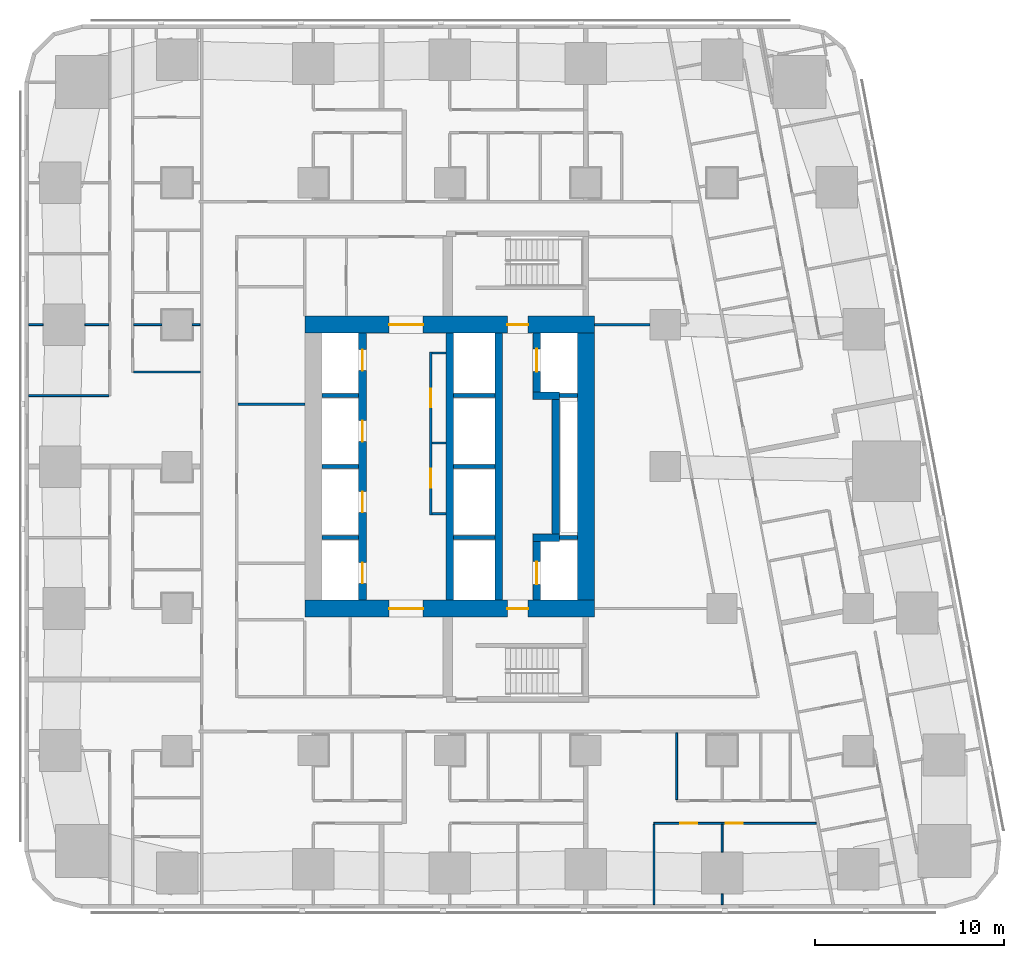
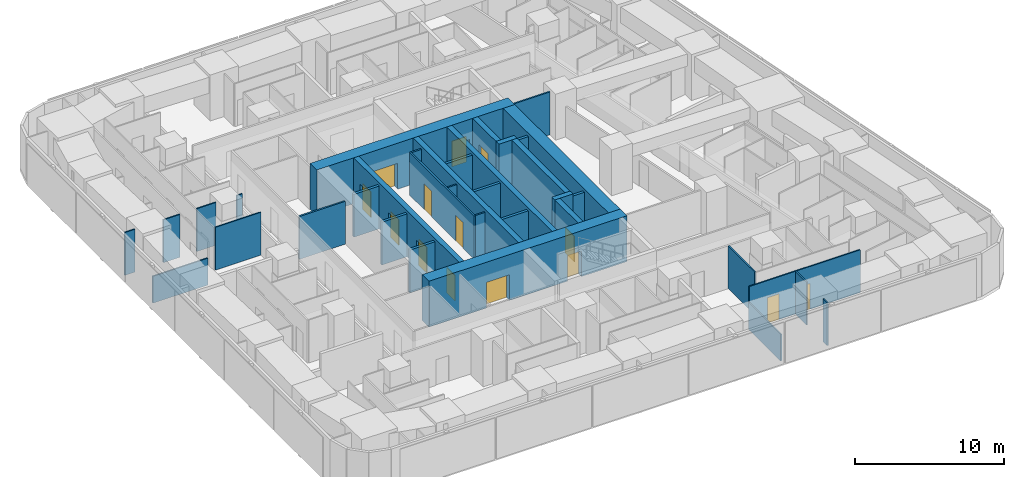
# One storey, part 6 of 17: 36 walls, 14 doors, 14 openings.
"""IFC4 building model written with IfcOpenShell, lengths in metres."""

import ifcopenshell
import ifcopenshell.guid

model = None  # the IFC model being written
_history = None  # IfcOwnerHistory: only IFC2X3 demands one
_inside = {}  # id of a spatial element -> (the spatial element, [elements in it])
_under = {}  # id of a project, library or spatial element -> (it, [spatial elements below it])
_declared = {}  # id of a project -> (the project, [libraries it declares])
_typed = {}  # id of a type object -> (the type object, [elements of that type])
_made_of = {}  # id of a material, layer set ... -> (it, [elements and type objects made of it])


def new_model(schema):
    """Start an empty IFC model of exactly this schema.

    Asked for "IFC4X3", IfcOpenShell would pick the latest addendum, in which some entities
    have other attributes; the version numbers below select the first issue.
    IFC2X3 requires an IfcOwnerHistory on every rooted entity: one is made here for all.
    """
    global model, _history
    if schema == "IFC4X3":
        model = ifcopenshell.file(schema_version=(4, 3, 0, 0))
    else:
        model = ifcopenshell.file(schema=schema)
    _inside.clear()
    _under.clear()
    _declared.clear()
    _typed.clear()
    _made_of.clear()
    _history = None
    if model.schema == "IFC2X3":
        org = make("IfcOrganization", Name="unknown")
        user = make(
            "IfcPersonAndOrganization",
            ThePerson=make("IfcPerson", FamilyName="unknown"),
            TheOrganization=org,
        )
        app = make(
            "IfcApplication",
            ApplicationDeveloper=org,
            Version="unknown",
            ApplicationFullName="unknown",
            ApplicationIdentifier="unknown",
        )
        _history = make(
            "IfcOwnerHistory",
            OwningUser=user,
            OwningApplication=app,
            ChangeAction="ADDED",
            CreationDate=0,
        )
    return model


def make(cls, **values):
    """One entity of the class cls with the attributes given. An attribute that is None is left unset."""
    return model.create_entity(
        cls, **{name: value for name, value in values.items() if value is not None}
    )


def rooted(cls, **values):
    """An entity with a GlobalId (a new one), such as an element, a storey or a relation."""
    return make(cls, GlobalId=ifcopenshell.guid.new(), OwnerHistory=_history, **values)


def si_unit(unit_type, name, prefix=None):
    """IfcSIUnit, for example si_unit("LENGTHUNIT", "METRE", prefix="MILLI")."""
    return make("IfcSIUnit", UnitType=unit_type, Prefix=prefix, Name=name)


def assignment(units):
    """IfcUnitAssignment: the units of a project."""
    return None if units is None else make("IfcUnitAssignment", Units=units)


def point(xyz):
    """IfcCartesianPoint."""
    return None if xyz is None else make("IfcCartesianPoint", Coordinates=xyz)


def direction(xyz):
    """IfcDirection."""
    return None if xyz is None else make("IfcDirection", DirectionRatios=xyz)


def frame(location, z_axis=None, x_axis=None):
    """IfcAxis2Placement3D, a coordinate frame: its origin and axes. An axis left out is left unset."""
    return make(
        "IfcAxis2Placement3D",
        Location=point(location),
        Axis=direction(z_axis),
        RefDirection=direction(x_axis),
    )


def frame_2d(location, x_axis=None):
    """IfcAxis2Placement2D, a coordinate frame in the plane: its origin and x axis."""
    return make(
        "IfcAxis2Placement2D", Location=point(location), RefDirection=direction(x_axis)
    )


def origin():
    """The frame at (0, 0, 0) with its axes left unset."""
    return frame((0.0, 0.0, 0.0))


def place(relative_to, where):
    """IfcLocalPlacement: puts the frame where relative to a parent placement (None: the world)."""
    return make(
        "IfcLocalPlacement", PlacementRelTo=relative_to, RelativePlacement=where
    )


def context(
    kind, dimensions, precision=None, world=None, true_north=None, identifier=None
):
    """IfcGeometricRepresentationContext, for example the 3D "Model" context."""
    return make(
        "IfcGeometricRepresentationContext",
        ContextIdentifier=identifier,
        ContextType=kind,
        CoordinateSpaceDimension=dimensions,
        Precision=precision,
        WorldCoordinateSystem=world,
        TrueNorth=true_north,
    )


def subcontext(parent, identifier, kind, view, scale=None):
    """IfcGeometricRepresentationSubContext, for example "Body" below "Model"."""
    return make(
        "IfcGeometricRepresentationSubContext",
        ContextIdentifier=identifier,
        ContextType=kind,
        ParentContext=parent,
        TargetScale=scale,
        TargetView=view,
    )


def project(units=None, contexts=None):
    """IfcProject with its units and contexts."""
    return rooted(
        "IfcProject",
        Name="project",
        RepresentationContexts=contexts,
        UnitsInContext=assignment(units),
    )


def spatial(cls, under=None, at=None, **own):
    """A site, building, storey or space (cls), placed at a placement, below another one or the project."""
    s = rooted(cls, ObjectPlacement=at, **own)
    if under is not None:
        _under.setdefault(under.id(), (under, []))[1].append(s)
    return s


def profile(cls, at=None, kind="AREA", **sizes):
    """A parametric profile (cls). Its sizes go by their IFC names, for example OverallWidth=200.0."""
    return make(cls, ProfileType=kind, Position=at, **sizes)


def rectangle(**sizes):
    """IfcRectangleProfileDef."""
    return profile("IfcRectangleProfileDef", **sizes)


def extrude(swept, where, along, depth):
    """IfcExtrudedAreaSolid: the profile swept, set in the frame where, extruded along a direction by depth."""
    return make(
        "IfcExtrudedAreaSolid",
        SweptArea=swept,
        Position=where,
        ExtrudedDirection=direction(along),
        Depth=depth,
    )


def shape(context_of_items, identifier, shape_type, items):
    """IfcShapeRepresentation: the items that make up one representation, for example the "Body"."""
    return make(
        "IfcShapeRepresentation",
        ContextOfItems=context_of_items,
        RepresentationIdentifier=identifier,
        RepresentationType=shape_type,
        Items=items,
    )


def material(Name=None, Category=None):
    """IfcMaterial."""
    return make("IfcMaterial", Name=Name, Category=Category)


def layer(
    of_material, thickness, ventilated=None, Name=None, Category=None, Priority=None
):
    """IfcMaterialLayer: one layer of a wall or slab, of a material (None: an air gap)."""
    return make(
        "IfcMaterialLayer",
        Material=of_material,
        LayerThickness=thickness,
        IsVentilated=ventilated,
        Name=Name,
        Category=Category,
        Priority=Priority,
    )


def layer_set(layers, Name=None):
    """IfcMaterialLayerSet."""
    return make("IfcMaterialLayerSet", MaterialLayers=layers, LayerSetName=Name)


def made_of(thing, what):
    """Note that an element or type object is made of a material, layer set ...; save() writes the relation."""
    if what is not None:
        _made_of.setdefault(what.id(), (what, []))[1].append(thing)
    return thing


def type_object(cls, material=None, **own):
    """A type object (cls), such as IfcWallType, which elements share."""
    return made_of(rooted(cls, **own), material)


def element(
    cls,
    number,
    at=None,
    inside=None,
    cuts=None,
    type_object=None,
    material=None,
    context=None,
    identifier="Body",
    shape_type=None,
    held_by="IfcProductDefinitionShape",
    body=None,
    shapes=None,
    **own,
):
    """One element of the class cls, such as IfcWall. Its Tag is "e" and its number.

    at: its placement. inside: the storey or other place that contains it. cuts: it is an
    opening in that element (IfcRelVoidsElement). A single representation is given by context,
    identifier, shape_type and body (its items); several are given by shapes. held_by: the class
    of the entity that holds the representations. save() writes the other relations.
    """
    e = rooted(cls, Tag="e%d" % number, ObjectPlacement=at, **own)
    if body is not None:
        shapes = [shape(context, identifier, shape_type, body)]
    if shapes is not None:
        e.Representation = make(held_by, Representations=shapes)
    if inside is not None:
        _inside.setdefault(inside.id(), (inside, []))[1].append(e)
    if cuts is not None:
        rooted(
            "IfcRelVoidsElement", RelatingBuildingElement=cuts, RelatedOpeningElement=e
        )
    if type_object is not None:
        _typed.setdefault(type_object.id(), (type_object, []))[1].append(e)
    return made_of(e, material)


def fill(opening, filler):
    """IfcRelFillsElement: the door or window that sits in an opening."""
    return rooted(
        "IfcRelFillsElement",
        RelatingOpeningElement=opening,
        RelatedBuildingElement=filler,
    )


def aggregate(whole, parts):
    """IfcRelAggregates: a whole, such as a stair, and the parts it consists of."""
    return rooted("IfcRelAggregates", RelatingObject=whole, RelatedObjects=parts)


def save(model, path):
    """Write the relations noted so far, then the file.

    IfcRelAggregates (storeys below a building ...), IfcRelContainedInSpatialStructure (elements
    in a storey), IfcRelDefinesByType, IfcRelAssociatesMaterial and IfcRelDeclares: one each for
    every whole, place, type object, material and project.
    """
    for whole, parts in _under.values():
        aggregate(whole, parts)
    for where, things in _inside.values():
        rooted(
            "IfcRelContainedInSpatialStructure",
            RelatedElements=things,
            RelatingStructure=where,
        )
    for kind, things in _typed.values():
        rooted("IfcRelDefinesByType", RelatedObjects=things, RelatingType=kind)
    for what, things in _made_of.values():
        rooted("IfcRelAssociatesMaterial", RelatedObjects=things, RelatingMaterial=what)
    for by, libraries in _declared.values():
        rooted("IfcRelDeclares", RelatingContext=by, RelatedDefinitions=libraries)
    model.write(path)


model = new_model("IFC4")

# Units and contexts
model_context = context("Model", 3, precision=1e-05, world=origin(), true_north=direction((0.0, 1.0)))
body_context = subcontext(model_context, "Body", "Model", "MODEL_VIEW")
ifc_project = project(units=[si_unit("LENGTHUNIT", "METRE"), si_unit("AREAUNIT", "SQUARE_METRE"), si_unit("VOLUMEUNIT", "CUBIC_METRE"), si_unit("PLANEANGLEUNIT", "RADIAN"), si_unit("MASSUNIT", "GRAM", prefix="KILO")], contexts=[model_context])

# Site, building, storey
site_placement = place(None, origin())
site = spatial("IfcSite", under=ifc_project, at=site_placement, CompositionType="ELEMENT")
building_placement = place(site_placement, origin())
building = spatial("IfcBuilding", under=site, at=building_placement, Name="Sheger Commons Tower", CompositionType="ELEMENT")
storey_placement = place(building_placement, frame((0.0, 0.0, 119.14990234375)))
storey = spatial("IfcBuildingStorey", under=building, at=storey_placement, Name="L30", CompositionType="ELEMENT", Elevation=119.14990234375)

# Wall, openings, doors
ifc_material_1 = material(Name="Concrete C50/60", Category="concrete")
ifc_layer_1 = layer(ifc_material_1, 0.39990234375)
ifc_layer_set_1 = layer_set([ifc_layer_1], Name="CORE INNER WALL 400")
wall_type_1 = type_object("IfcWallType", Name="CORE INNER WALL 400", PredefinedType="SHEAR", material=ifc_layer_set_1)
wall_1_placement = place(storey_placement, frame((17.0, 15.449951171875, 0.0), z_axis=(0.0, 0.0, 1.0), x_axis=(0.0, 1.0, 0.0)))
wall_1 = element("IfcWall", 1, at=wall_1_placement, inside=storey, type_object=wall_type_1, Name="Core inner wall A L30", PredefinedType="SHEAR", context=body_context, shape_type="SweptSolid", body=[
    extrude(rectangle(XDim=14.10009765625, YDim=0.39990234375, at=frame_2d((7.050048828125, 0.0))), origin(), (0.0, 0.0, 1.0), 3.75),
])
opening_1_placement = place(wall_1_placement, frame((0.875, 0.0, 0.0)))
opening_1 = element("IfcOpeningElement", 2, at=opening_1_placement, cuts=wall_1, Name="Opening LD", PredefinedType="OPENING", context=body_context, shape_type="SweptSolid", body=[
    extrude(rectangle(XDim=1.10009765625, YDim=2.10009765625, at=frame_2d((0.550048828125, 1.050048828125))), frame((0.0, 0.2099609375, 0.0), z_axis=(0.0, -1.0, 0.0), x_axis=(1.0, 0.0, 0.0)), (0.0, 0.0, 1.0), 0.419921875),
])
opening_2_placement = place(wall_1_placement, frame((4.625, 0.0, 0.0)))
opening_2 = element("IfcOpeningElement", 3, at=opening_2_placement, cuts=wall_1, Name="Opening LD", PredefinedType="OPENING", context=body_context, shape_type="SweptSolid", body=[
    extrude(rectangle(XDim=1.10009765625, YDim=2.10009765625, at=frame_2d((0.550048828125, 1.050048828125))), frame((0.0, 0.2099609375, 0.0), z_axis=(0.0, -1.0, 0.0), x_axis=(1.0, 0.0, 0.0)), (0.0, 0.0, 1.0), 0.419921875),
])
opening_3_placement = place(wall_1_placement, frame((8.375, 0.0, 0.0)))
opening_3 = element("IfcOpeningElement", 4, at=opening_3_placement, cuts=wall_1, Name="Opening LD", PredefinedType="OPENING", context=body_context, shape_type="SweptSolid", body=[
    extrude(rectangle(XDim=1.10009765625, YDim=2.10009765625, at=frame_2d((0.550048828125, 1.050048828125))), frame((0.0, 0.2099609375, 0.0), z_axis=(0.0, -1.0, 0.0), x_axis=(1.0, 0.0, 0.0)), (0.0, 0.0, 1.0), 0.419921875),
])
opening_4_placement = place(wall_1_placement, frame((12.125, 0.0, 0.0)))
opening_4 = element("IfcOpeningElement", 5, at=opening_4_placement, cuts=wall_1, Name="Opening LD", PredefinedType="OPENING", context=body_context, shape_type="SweptSolid", body=[
    extrude(rectangle(XDim=1.10009765625, YDim=2.10009765625, at=frame_2d((0.550048828125, 1.050048828125))), frame((0.0, 0.2099609375, 0.0), z_axis=(0.0, -1.0, 0.0), x_axis=(1.0, 0.0, 0.0)), (0.0, 0.0, 1.0), 0.419921875),
])
ifc_material_2 = material(Name="Steel door set, fire rated", Category="steel")
door_type_1 = type_object("IfcDoorType", Name="LIFT LANDING DOOR 1100x2100", OperationType="DOUBLE_DOOR_SLIDING", PredefinedType="DOOR", material=ifc_material_2)
door_1_placement = place(opening_1_placement, origin())
door_1 = element("IfcDoor", 6, at=door_1_placement, inside=storey, type_object=door_type_1, Name="Lift LA1 landing door", OperationType="DOUBLE_DOOR_SLIDING", OverallHeight=2.10009765625, OverallWidth=1.10009765625, PredefinedType="DOOR", context=body_context, shape_type="SweptSolid", body=[
    extrude(rectangle(XDim=1.10009765625, YDim=2.10009765625, at=frame_2d((0.550048828125, 1.050048828125))), frame((0.0, 0.02490234375, 0.0), z_axis=(0.0, -1.0, 0.0), x_axis=(1.0, 0.0, 0.0)), (0.0, 0.0, 1.0), 0.050048828125),
])
fill(opening_1, door_1)
door_2_placement = place(opening_2_placement, origin())
door_2 = element("IfcDoor", 7, at=door_2_placement, inside=storey, type_object=door_type_1, Name="Lift LA2 landing door", OperationType="DOUBLE_DOOR_SLIDING", OverallHeight=2.10009765625, OverallWidth=1.10009765625, PredefinedType="DOOR", context=body_context, shape_type="SweptSolid", body=[
    extrude(rectangle(XDim=1.10009765625, YDim=2.10009765625, at=frame_2d((0.550048828125, 1.050048828125))), frame((0.0, 0.02490234375, 0.0), z_axis=(0.0, -1.0, 0.0), x_axis=(1.0, 0.0, 0.0)), (0.0, 0.0, 1.0), 0.050048828125),
])
fill(opening_2, door_2)
door_3_placement = place(opening_3_placement, origin())
door_3 = element("IfcDoor", 8, at=door_3_placement, inside=storey, type_object=door_type_1, Name="Lift LA3 landing door", OperationType="DOUBLE_DOOR_SLIDING", OverallHeight=2.10009765625, OverallWidth=1.10009765625, PredefinedType="DOOR", context=body_context, shape_type="SweptSolid", body=[
    extrude(rectangle(XDim=1.10009765625, YDim=2.10009765625, at=frame_2d((0.550048828125, 1.050048828125))), frame((0.0, 0.02490234375, 0.0), z_axis=(0.0, -1.0, 0.0), x_axis=(1.0, 0.0, 0.0)), (0.0, 0.0, 1.0), 0.050048828125),
])
fill(opening_3, door_3)
door_4_placement = place(opening_4_placement, origin())
door_4 = element("IfcDoor", 9, at=door_4_placement, inside=storey, type_object=door_type_1, Name="Lift LA4 landing door", OperationType="DOUBLE_DOOR_SLIDING", OverallHeight=2.10009765625, OverallWidth=1.10009765625, PredefinedType="DOOR", context=body_context, shape_type="SweptSolid", body=[
    extrude(rectangle(XDim=1.10009765625, YDim=2.10009765625, at=frame_2d((0.550048828125, 1.050048828125))), frame((0.0, 0.02490234375, 0.0), z_axis=(0.0, -1.0, 0.0), x_axis=(1.0, 0.0, 0.0)), (0.0, 0.0, 1.0), 0.050048828125),
])
fill(opening_4, door_4)

# Walls
for number, where, z_axis, x_axis, name in (
    (10, (21.60009765625, 15.449951171875, 0.0), (0.0, 0.0, 1.0), (0.0, 1.0, 0.0), "Core inner wall L L30"),
    (11, (24.199951171875, 15.449951171875, 0.0), (0.0, 0.0, 1.0), (0.0, 1.0, 0.0), "Core inner wall B L30"),
):
    element("IfcWall", number, at=place(storey_placement, frame(where, z_axis=z_axis, x_axis=x_axis)), inside=storey, type_object=wall_type_1, Name=name, PredefinedType="SHEAR", context=body_context, shape_type="SweptSolid", body=[
        extrude(rectangle(XDim=14.10009765625, YDim=0.39990234375, at=frame_2d((7.050048828125, 0.0))), origin(), (0.0, 0.0, 1.0), 3.75),
    ])

# Wall, opening, door
wall_2_placement = place(storey_placement, frame((26.199951171875, 15.449951171875, 0.0), z_axis=(0.0, 0.0, 1.0), x_axis=(0.0, 1.0, 0.0)))
wall_2 = element("IfcWall", 12, at=wall_2_placement, inside=storey, type_object=wall_type_1, Name="Core inner wall F L30", PredefinedType="SHEAR", context=body_context, shape_type="SweptSolid", body=[
    extrude(rectangle(XDim=3.10009765625, YDim=0.39990234375, at=frame_2d((1.550048828125, 0.0))), origin(), (0.0, 0.0, 1.0), 3.75),
])
opening_5_placement = place(wall_2_placement, frame((0.824951171875, 0.0, 0.0)))
opening_5 = element("IfcOpeningElement", 13, at=opening_5_placement, cuts=wall_2, Name="Opening LD2", PredefinedType="OPENING", context=body_context, shape_type="SweptSolid", body=[
    extrude(rectangle(XDim=1.199951171875, YDim=2.10009765625, at=frame_2d((0.60009765625, 1.050048828125))), frame((0.0, 0.2099609375, 0.0), z_axis=(0.0, -1.0, 0.0), x_axis=(1.0, 0.0, 0.0)), (0.0, 0.0, 1.0), 0.419921875),
])
ifc_material_3 = material(Name="Steel door set, fire rated", Category="steel")
door_type_2 = type_object("IfcDoorType", Name="FIREFIGHTING LIFT LANDING DOOR 1200x2100", OperationType="DOUBLE_DOOR_SLIDING", PredefinedType="DOOR", material=ifc_material_3)
door_5_placement = place(opening_5_placement, origin())
door_5 = element("IfcDoor", 14, at=door_5_placement, inside=storey, type_object=door_type_2, Name="Lift FL1 landing door", OperationType="DOUBLE_DOOR_SLIDING", OverallHeight=2.10009765625, OverallWidth=1.199951171875, PredefinedType="DOOR", context=body_context, shape_type="SweptSolid", body=[
    extrude(rectangle(XDim=1.199951171875, YDim=2.10009765625, at=frame_2d((0.60009765625, 1.050048828125))), frame((0.0, 0.02490234375, 0.0), z_axis=(0.0, -1.0, 0.0), x_axis=(1.0, 0.0, 0.0)), (0.0, 0.0, 1.0), 0.050048828125),
])
fill(opening_5, door_5)

# Walls
wall_3_placement = place(storey_placement, frame((26.0, 18.75, 0.0), z_axis=(0.0, 0.0, 1.0), x_axis=(1.0, 0.0, 0.0)))
element("IfcWall", 15, at=wall_3_placement, inside=storey, type_object=wall_type_1, Name="Core inner wall F south return L30", PredefinedType="SHEAR", context=body_context, shape_type="SweptSolid", body=[
    extrude(rectangle(XDim=1.39990234375, YDim=0.39990234375, at=frame_2d((0.699951171875, 0.0))), origin(), (0.0, 0.0, 1.0), 3.75),
])
wall_4_placement = place(storey_placement, frame((27.199951171875, 18.949951171875, 0.0), z_axis=(0.0, 0.0, 1.0), x_axis=(0.0, 1.0, 0.0)))
element("IfcWall", 16, at=wall_4_placement, inside=storey, type_object=wall_type_1, Name="Core inner wall F middle L30", PredefinedType="SHEAR", context=body_context, shape_type="SweptSolid", body=[
    extrude(rectangle(XDim=7.10009765625, YDim=0.39990234375, at=frame_2d((3.550048828125, 0.0))), origin(), (0.0, 0.0, 1.0), 3.75),
])
wall_5_placement = place(storey_placement, frame((26.0, 26.25, 0.0), z_axis=(0.0, 0.0, 1.0), x_axis=(1.0, 0.0, 0.0)))
element("IfcWall", 17, at=wall_5_placement, inside=storey, type_object=wall_type_1, Name="Core inner wall F north return L30", PredefinedType="SHEAR", context=body_context, shape_type="SweptSolid", body=[
    extrude(rectangle(XDim=1.39990234375, YDim=0.39990234375, at=frame_2d((0.699951171875, 0.0))), origin(), (0.0, 0.0, 1.0), 3.75),
])

# Wall, opening, door
wall_6_placement = place(storey_placement, frame((26.199951171875, 26.449951171875, 0.0), z_axis=(0.0, 0.0, 1.0), x_axis=(0.0, 1.0, 0.0)))
wall_6 = element("IfcWall", 18, at=wall_6_placement, inside=storey, type_object=wall_type_1, Name="Core inner wall F north L30", PredefinedType="SHEAR", context=body_context, shape_type="SweptSolid", body=[
    extrude(rectangle(XDim=3.10009765625, YDim=0.39990234375, at=frame_2d((1.550048828125, 0.0))), origin(), (0.0, 0.0, 1.0), 3.75),
])
opening_6_placement = place(wall_6_placement, frame((1.074951171875, 0.0, 0.0)))
opening_6 = element("IfcOpeningElement", 19, at=opening_6_placement, cuts=wall_6, Name="Opening LD2", PredefinedType="OPENING", context=body_context, shape_type="SweptSolid", body=[
    extrude(rectangle(XDim=1.199951171875, YDim=2.10009765625, at=frame_2d((0.60009765625, 1.050048828125))), frame((0.0, 0.2099609375, 0.0), z_axis=(0.0, -1.0, 0.0), x_axis=(1.0, 0.0, 0.0)), (0.0, 0.0, 1.0), 0.419921875),
])
door_6_placement = place(opening_6_placement, origin())
door_6 = element("IfcDoor", 20, at=door_6_placement, inside=storey, type_object=door_type_2, Name="Lift FL2 landing door", OperationType="DOUBLE_DOOR_SLIDING", OverallHeight=2.10009765625, OverallWidth=1.199951171875, PredefinedType="DOOR", context=body_context, shape_type="SweptSolid", body=[
    extrude(rectangle(XDim=1.199951171875, YDim=2.10009765625, at=frame_2d((0.60009765625, 1.050048828125))), frame((0.0, 0.02490234375, 0.0), z_axis=(0.0, -1.0, 0.0), x_axis=(1.0, 0.0, 0.0)), (0.0, 0.0, 1.0), 0.050048828125),
])
fill(opening_6, door_6)

# Wall, openings, doors
ifc_material_4 = material(Name="Concrete C50/60", Category="concrete")
ifc_layer_2 = layer(ifc_material_4, 0.89990234375)
ifc_layer_set_2 = layer_set([ifc_layer_2], Name="CORE WALL 900")
wall_type_2 = type_object("IfcWallType", Name="CORE WALL 900", PredefinedType="SHEAR", material=ifc_layer_set_2)
wall_7_placement = place(storey_placement, frame((13.949951171875, 15.0, 0.0), z_axis=(0.0, 0.0, 1.0), x_axis=(1.0, 0.0, 0.0)))
wall_7 = element("IfcWall", 21, at=wall_7_placement, inside=storey, type_object=wall_type_2, Name="Core wall south L30", PredefinedType="SHEAR", context=body_context, shape_type="SweptSolid", body=[
    extrude(rectangle(XDim=15.300048828125, YDim=0.89990234375, at=frame_2d((7.64990234375, 0.0))), origin(), (0.0, 0.0, 1.0), 3.75),
])
opening_7_placement = place(wall_7_placement, frame((4.449951171875, 0.0, 0.0)))
opening_7 = element("IfcOpeningElement", 22, at=opening_7_placement, cuts=wall_7, Name="Opening D6", PredefinedType="OPENING", context=body_context, shape_type="SweptSolid", body=[
    extrude(rectangle(XDim=1.800048828125, YDim=2.10009765625, at=frame_2d((0.89990234375, 1.050048828125))), frame((0.0, 0.4599609375, 0.0), z_axis=(0.0, -1.0, 0.0), x_axis=(1.0, 0.0, 0.0)), (0.0, 0.0, 1.0), 0.919921875),
])
opening_8_placement = place(wall_7_placement, frame((10.699951171875, 0.0, 0.0)))
opening_8 = element("IfcOpeningElement", 23, at=opening_8_placement, cuts=wall_7, Name="Opening D5", PredefinedType="OPENING", context=body_context, shape_type="SweptSolid", body=[
    extrude(rectangle(XDim=1.10009765625, YDim=2.10009765625, at=frame_2d((0.550048828125, 1.050048828125))), frame((0.0, 0.4599609375, 0.0), z_axis=(0.0, -1.0, 0.0), x_axis=(1.0, 0.0, 0.0)), (0.0, 0.0, 1.0), 0.919921875),
])
ifc_material_5 = material(Name="Steel door set, fire rated", Category="steel")
door_type_3 = type_object("IfcDoorType", Name="LOBBY DOUBLE DOOR 1800x2100", OperationType="DOUBLE_DOOR_SINGLE_SWING", PredefinedType="DOOR", material=ifc_material_5)
door_7_placement = place(opening_7_placement, origin())
door_7 = element("IfcDoor", 24, at=door_7_placement, inside=storey, type_object=door_type_3, Name="Lift lobby door", OperationType="DOUBLE_DOOR_SINGLE_SWING", OverallHeight=2.10009765625, OverallWidth=1.800048828125, PredefinedType="DOOR", context=body_context, shape_type="SweptSolid", body=[
    extrude(rectangle(XDim=1.800048828125, YDim=2.10009765625, at=frame_2d((0.89990234375, 1.050048828125))), frame((0.0, 0.02490234375, 0.0), z_axis=(0.0, -1.0, 0.0), x_axis=(1.0, 0.0, 0.0)), (0.0, 0.0, 1.0), 0.050048828125),
])
fill(opening_7, door_7)
ifc_material_6 = material(Name="Steel door set, fire rated", Category="steel")
door_type_4 = type_object("IfcDoorType", Name="STAIR DOOR 1100x2100", OperationType="NOTDEFINED", PredefinedType="DOOR", material=ifc_material_6)
door_8_placement = place(opening_8_placement, origin())
door_8 = element("IfcDoor", 25, at=door_8_placement, inside=storey, type_object=door_type_4, Name="Fire-fighting lobby door", OperationType="SINGLE_SWING_RIGHT", OverallHeight=2.10009765625, OverallWidth=1.10009765625, PredefinedType="DOOR", context=body_context, shape_type="SweptSolid", body=[
    extrude(rectangle(XDim=1.10009765625, YDim=2.10009765625, at=frame_2d((0.550048828125, 1.050048828125))), frame((0.0, 0.02490234375, 0.0), z_axis=(0.0, -1.0, 0.0), x_axis=(1.0, 0.0, 0.0)), (0.0, 0.0, 1.0), 0.050048828125),
])
fill(opening_8, door_8)

wall_8_placement = place(storey_placement, frame((13.949951171875, 30.0, 0.0), z_axis=(0.0, 0.0, 1.0), x_axis=(1.0, 0.0, 0.0)))
wall_8 = element("IfcWall", 26, at=wall_8_placement, inside=storey, type_object=wall_type_2, Name="Core wall north L30", PredefinedType="SHEAR", context=body_context, shape_type="SweptSolid", body=[
    extrude(rectangle(XDim=15.300048828125, YDim=0.89990234375, at=frame_2d((7.64990234375, 0.0))), origin(), (0.0, 0.0, 1.0), 3.75),
])
opening_9_placement = place(wall_8_placement, frame((4.449951171875, 0.0, 0.0)))
opening_9 = element("IfcOpeningElement", 27, at=opening_9_placement, cuts=wall_8, Name="Opening D6", PredefinedType="OPENING", context=body_context, shape_type="SweptSolid", body=[
    extrude(rectangle(XDim=1.800048828125, YDim=2.10009765625, at=frame_2d((0.89990234375, 1.050048828125))), frame((0.0, 0.4599609375, 0.0), z_axis=(0.0, -1.0, 0.0), x_axis=(1.0, 0.0, 0.0)), (0.0, 0.0, 1.0), 0.919921875),
])
opening_10_placement = place(wall_8_placement, frame((10.699951171875, 0.0, 0.0)))
opening_10 = element("IfcOpeningElement", 28, at=opening_10_placement, cuts=wall_8, Name="Opening D5", PredefinedType="OPENING", context=body_context, shape_type="SweptSolid", body=[
    extrude(rectangle(XDim=1.10009765625, YDim=2.10009765625, at=frame_2d((0.550048828125, 1.050048828125))), frame((0.0, 0.4599609375, 0.0), z_axis=(0.0, -1.0, 0.0), x_axis=(1.0, 0.0, 0.0)), (0.0, 0.0, 1.0), 0.919921875),
])
door_9_placement = place(opening_9_placement, origin())
door_9 = element("IfcDoor", 29, at=door_9_placement, inside=storey, type_object=door_type_3, Name="Lift lobby door", OperationType="DOUBLE_DOOR_SINGLE_SWING", OverallHeight=2.10009765625, OverallWidth=1.800048828125, PredefinedType="DOOR", context=body_context, shape_type="SweptSolid", body=[
    extrude(rectangle(XDim=1.800048828125, YDim=2.10009765625, at=frame_2d((0.89990234375, 1.050048828125))), frame((0.0, 0.02490234375, 0.0), z_axis=(0.0, -1.0, 0.0), x_axis=(1.0, 0.0, 0.0)), (0.0, 0.0, 1.0), 0.050048828125),
])
fill(opening_9, door_9)
door_10_placement = place(opening_10_placement, origin())
door_10 = element("IfcDoor", 30, at=door_10_placement, inside=storey, type_object=door_type_4, Name="Fire-fighting lobby door", OperationType="SINGLE_SWING_RIGHT", OverallHeight=2.10009765625, OverallWidth=1.10009765625, PredefinedType="DOOR", context=body_context, shape_type="SweptSolid", body=[
    extrude(rectangle(XDim=1.10009765625, YDim=2.10009765625, at=frame_2d((0.550048828125, 1.050048828125))), frame((0.0, 0.02490234375, 0.0), z_axis=(0.0, -1.0, 0.0), x_axis=(1.0, 0.0, 0.0)), (0.0, 0.0, 1.0), 0.050048828125),
])
fill(opening_10, door_10)

# Walls
wall_9_placement = place(storey_placement, frame((28.800048828125, 15.449951171875, 0.0), z_axis=(0.0, 0.0, 1.0), x_axis=(0.0, 1.0, 0.0)))
element("IfcWall", 31, at=wall_9_placement, inside=storey, type_object=wall_type_2, Name="Core wall east L30", PredefinedType="SHEAR", context=body_context, shape_type="SweptSolid", body=[
    extrude(rectangle(XDim=14.10009765625, YDim=0.89990234375, at=frame_2d((7.050048828125, 0.0))), origin(), (0.0, 0.0, 1.0), 3.75),
])
ifc_material_7 = material(Name="Gypsum board on steel studs", Category="steel")
ifc_layer_3 = layer(ifc_material_7, 0.10009765625)
ifc_layer_set_3 = layer_set([ifc_layer_3], Name="PARTITION 100")
wall_type_3 = type_object("IfcWallType", Name="PARTITION 100", PredefinedType="PARTITIONING", material=ifc_layer_set_3)
wall_10_placement = place(storey_placement, frame((-0.64990234375, 26.25, 0.0), z_axis=(0.0, 0.0, 1.0), x_axis=(1.0, 0.0, 0.0)))
element("IfcWall", 32, at=wall_10_placement, inside=storey, type_object=wall_type_3, Name="Partition L30", PredefinedType="PARTITIONING", context=body_context, shape_type="SweptSolid", body=[
    extrude(rectangle(XDim=4.25, YDim=0.10009765625, at=frame_2d((2.125, 0.0))), origin(), (0.0, 0.0, 1.0), 2.2001953125),
])
wall_11_placement = place(storey_placement, frame((-0.64990234375, 30.0, 0.0), z_axis=(0.0, 0.0, 1.0), x_axis=(1.0, 0.0, 0.0)))
element("IfcWall", 33, at=wall_11_placement, inside=storey, type_object=wall_type_3, Name="Partition L30", PredefinedType="PARTITIONING", context=body_context, shape_type="SweptSolid", body=[
    extrude(rectangle(XDim=0.77392578125, YDim=0.10009765625, at=frame_2d((0.386962890625, 0.0))), origin(), (0.0, 0.0, 1.0), 3.5),
])
wall_12_placement = place(storey_placement, frame((2.325927734375, 30.0, 0.0), z_axis=(0.0, 0.0, 1.0), x_axis=(1.0, 0.0, 0.0)))
element("IfcWall", 34, at=wall_12_placement, inside=storey, type_object=wall_type_3, Name="Partition L30", PredefinedType="PARTITIONING", context=body_context, shape_type="SweptSolid", body=[
    extrude(rectangle(XDim=1.274169921875, YDim=0.10009765625, at=frame_2d((0.63720703125, 0.0))), origin(), (0.0, 0.0, 1.0), 3.5),
])
wall_13_placement = place(storey_placement, frame((4.89990234375, 27.4990234375, 0.0), z_axis=(0.0, 0.0, 1.0), x_axis=(1.0, 0.0, 0.0)))
element("IfcWall", 35, at=wall_13_placement, inside=storey, type_object=wall_type_3, Name="Partition L30", PredefinedType="PARTITIONING", context=body_context, shape_type="SweptSolid", body=[
    extrude(rectangle(XDim=3.525146484375, YDim=0.10009765625, at=frame_2d((1.7626953125, 0.0))), origin(), (0.0, 0.0, 1.0), 3.5),
])
wall_14_placement = place(storey_placement, frame((4.89990234375, 30.0, 0.0), z_axis=(0.0, 0.0, 1.0), x_axis=(1.0, 0.0, 0.0)))
element("IfcWall", 36, at=wall_14_placement, inside=storey, type_object=wall_type_3, Name="Partition L30", PredefinedType="PARTITIONING", context=body_context, shape_type="SweptSolid", body=[
    extrude(rectangle(XDim=1.4990234375, YDim=0.10009765625, at=frame_2d((0.74951171875, 0.0))), origin(), (0.0, 0.0, 1.0), 3.5),
])
wall_15_placement = place(storey_placement, frame((8.0009765625, 30.0, 0.0), z_axis=(0.0, 0.0, 1.0), x_axis=(1.0, 0.0, 0.0)))
element("IfcWall", 37, at=wall_15_placement, inside=storey, type_object=wall_type_3, Name="Partition L30", PredefinedType="PARTITIONING", context=body_context, shape_type="SweptSolid", body=[
    extrude(rectangle(XDim=0.424072265625, YDim=0.10009765625, at=frame_2d((0.2119140625, 0.0))), origin(), (0.0, 0.0, 1.0), 3.5),
])

# Wall, openings, doors
wall_16_placement = place(storey_placement, frame((40.97412109375, 3.64990234375, 0.0), z_axis=(0.0, 0.0, 1.0), x_axis=(-1.0, 0.0, 0.0)))
wall_16 = element("IfcWall", 38, at=wall_16_placement, inside=storey, type_object=wall_type_3, Name="Partition L30", PredefinedType="PARTITIONING", context=body_context, shape_type="SweptSolid", body=[
    extrude(rectangle(XDim=8.57421875, YDim=0.10009765625, at=frame_2d((4.287109375, 0.0))), origin(), (0.0, 0.0, 1.0), 3.5),
])
opening_11_placement = place(wall_16_placement, frame((6.27490234375, 0.0, 0.0)))
opening_11 = element("IfcOpeningElement", 39, at=opening_11_placement, cuts=wall_16, Name="Opening D2", PredefinedType="OPENING", context=body_context, shape_type="SweptSolid", body=[
    extrude(rectangle(XDim=0.89990234375, YDim=2.10009765625, at=frame_2d((0.449951171875, 1.050048828125))), frame((0.0, 0.06005859375, 0.0), z_axis=(0.0, -1.0, 0.0), x_axis=(1.0, 0.0, 0.0)), (0.0, 0.0, 1.0), 0.1201171875),
])
opening_12_placement = place(wall_16_placement, frame((3.8740234375, 0.0, 0.0)))
opening_12 = element("IfcOpeningElement", 40, at=opening_12_placement, cuts=wall_16, Name="Opening D2", PredefinedType="OPENING", context=body_context, shape_type="SweptSolid", body=[
    extrude(rectangle(XDim=0.89990234375, YDim=2.10009765625, at=frame_2d((0.449951171875, 1.050048828125))), frame((0.0, 0.06005859375, 0.0), z_axis=(0.0, -1.0, 0.0), x_axis=(1.0, 0.0, 0.0)), (0.0, 0.0, 1.0), 0.1201171875),
])
ifc_material_8 = material(Name="Timber door set", Category="wood")
door_type_5 = type_object("IfcDoorType", Name="INTERNAL DOOR 900x2100", OperationType="NOTDEFINED", PredefinedType="DOOR", material=ifc_material_8)
door_11_placement = place(opening_11_placement, origin())
door_11 = element("IfcDoor", 41, at=door_11_placement, inside=storey, type_object=door_type_5, Name="Main bedroom door", OperationType="SINGLE_SWING_RIGHT", OverallHeight=2.10009765625, OverallWidth=0.89990234375, PredefinedType="DOOR", context=body_context, shape_type="SweptSolid", body=[
    extrude(rectangle(XDim=0.89990234375, YDim=2.10009765625, at=frame_2d((0.449951171875, 1.050048828125))), frame((0.0, 0.02490234375, 0.0), z_axis=(0.0, -1.0, 0.0), x_axis=(1.0, 0.0, 0.0)), (0.0, 0.0, 1.0), 0.050048828125),
])
fill(opening_11, door_11)
door_12_placement = place(opening_12_placement, origin())
door_12 = element("IfcDoor", 42, at=door_12_placement, inside=storey, type_object=door_type_5, Name="Bedroom 2 door", OperationType="SINGLE_SWING_RIGHT", OverallHeight=2.10009765625, OverallWidth=0.89990234375, PredefinedType="DOOR", context=body_context, shape_type="SweptSolid", body=[
    extrude(rectangle(XDim=0.89990234375, YDim=2.10009765625, at=frame_2d((0.449951171875, 1.050048828125))), frame((0.0, 0.02490234375, 0.0), z_axis=(0.0, -1.0, 0.0), x_axis=(1.0, 0.0, 0.0)), (0.0, 0.0, 1.0), 0.050048828125),
])
fill(opening_12, door_12)

# Walls
wall_17_placement = place(storey_placement, frame((32.39990234375, -0.64990234375, 0.0), z_axis=(0.0, 0.0, 1.0), x_axis=(0.0, 1.0, 0.0)))
element("IfcWall", 43, at=wall_17_placement, inside=storey, type_object=wall_type_3, Name="Partition L30", PredefinedType="PARTITIONING", context=body_context, shape_type="SweptSolid", body=[
    extrude(rectangle(XDim=4.25, YDim=0.10009765625, at=frame_2d((2.125, 0.0))), origin(), (0.0, 0.0, 1.0), 2.2001953125),
])
wall_18_placement = place(storey_placement, frame((36.0, -0.64990234375, 0.0), z_axis=(0.0, 0.0, 1.0), x_axis=(0.0, 1.0, 0.0)))
element("IfcWall", 44, at=wall_18_placement, inside=storey, type_object=wall_type_3, Name="Partition L30", PredefinedType="PARTITIONING", context=body_context, shape_type="SweptSolid", body=[
    extrude(rectangle(XDim=0.573974609375, YDim=0.10009765625, at=frame_2d((0.287109375, 0.0))), origin(), (0.0, 0.0, 1.0), 3.5),
])
wall_19_placement = place(storey_placement, frame((36.0, 2.1259765625, 0.0), z_axis=(0.0, 0.0, 1.0), x_axis=(0.0, 1.0, 0.0)))
element("IfcWall", 45, at=wall_19_placement, inside=storey, type_object=wall_type_3, Name="Partition L30", PredefinedType="PARTITIONING", context=body_context, shape_type="SweptSolid", body=[
    extrude(rectangle(XDim=1.47412109375, YDim=0.10009765625, at=frame_2d((0.737060546875, 0.0))), origin(), (0.0, 0.0, 1.0), 3.5),
])
wall_20_placement = place(storey_placement, frame((33.59912109375, 4.89990234375, 0.0), z_axis=(0.0, 0.0, 1.0), x_axis=(0.0, 1.0, 0.0)))
element("IfcWall", 46, at=wall_20_placement, inside=storey, type_object=wall_type_3, Name="Partition L30", PredefinedType="PARTITIONING", context=body_context, shape_type="SweptSolid", body=[
    extrude(rectangle(XDim=3.525146484375, YDim=0.10009765625, at=frame_2d((1.7626953125, 0.0))), origin(), (0.0, 0.0, 1.0), 3.5),
])
ifc_material_9 = material(Name="Gypsum board on steel studs, two layers each side, fire rated", Category="steel")
ifc_layer_4 = layer(ifc_material_9, 0.125)
ifc_layer_set_4 = layer_set([ifc_layer_4], Name="SERVICE WALL 125")
wall_type_4 = type_object("IfcWallType", Name="SERVICE WALL 125", PredefinedType="PARTITIONING", material=ifc_layer_set_4)
wall_21_placement = place(storey_placement, frame((10.4130859375, 25.800048828125, 0.0), z_axis=(0.0, 0.0, 1.0), x_axis=(1.0, 0.0, 0.0)))
element("IfcWall", 47, at=wall_21_placement, inside=storey, type_object=wall_type_4, Name="Service room wall L30", PredefinedType="PARTITIONING", context=body_context, shape_type="SweptSolid", body=[
    extrude(rectangle(XDim=3.536865234375, YDim=0.125, at=frame_2d((1.7685546875, 0.0))), origin(), (0.0, 0.0, 1.0), 3.5),
])
wall_22_placement = place(storey_placement, frame((29.25, 30.0, 0.0), z_axis=(0.0, 0.0, 1.0), x_axis=(1.0, 0.0, 0.0)))
element("IfcWall", 48, at=wall_22_placement, inside=storey, type_object=wall_type_4, Name="Service room wall L30", PredefinedType="PARTITIONING", context=body_context, shape_type="SweptSolid", body=[
    extrude(rectangle(XDim=2.948974609375, YDim=0.125, at=frame_2d((1.474609375, 0.0))), origin(), (0.0, 0.0, 1.0), 3.5),
])

# Wall, openings, doors
wall_23_placement = place(storey_placement, frame((20.60009765625, 19.93798828125, 0.0), z_axis=(0.0, 0.0, 1.0), x_axis=(0.0, 1.0, 0.0)))
wall_23 = element("IfcWall", 49, at=wall_23_placement, inside=storey, type_object=wall_type_4, Name="Service room wall L30", PredefinedType="PARTITIONING", context=body_context, shape_type="SweptSolid", body=[
    extrude(rectangle(XDim=8.6240234375, YDim=0.125, at=frame_2d((4.31201171875, 0.0))), origin(), (0.0, 0.0, 1.0), 3.5),
])
opening_13_placement = place(wall_23_placement, frame((1.43701171875, 0.0, 0.0)))
opening_13 = element("IfcOpeningElement", 50, at=opening_13_placement, cuts=wall_23, Name="Opening D4", PredefinedType="OPENING", context=body_context, shape_type="SweptSolid", body=[
    extrude(rectangle(XDim=1.0, YDim=2.10009765625, at=frame_2d((0.5, 1.050048828125))), frame((0.0, 0.072509765625, 0.0), z_axis=(0.0, -1.0, 0.0), x_axis=(1.0, 0.0, 0.0)), (0.0, 0.0, 1.0), 0.14501953125),
])
opening_14_placement = place(wall_23_placement, frame((5.68701171875, 0.0, 0.0)))
opening_14 = element("IfcOpeningElement", 51, at=opening_14_placement, cuts=wall_23, Name="Opening D4", PredefinedType="OPENING", context=body_context, shape_type="SweptSolid", body=[
    extrude(rectangle(XDim=1.0, YDim=2.10009765625, at=frame_2d((0.5, 1.050048828125))), frame((0.0, 0.072509765625, 0.0), z_axis=(0.0, -1.0, 0.0), x_axis=(1.0, 0.0, 0.0)), (0.0, 0.0, 1.0), 0.14501953125),
])
ifc_material_10 = material(Name="Steel door set, fire rated", Category="steel")
door_type_6 = type_object("IfcDoorType", Name="SERVICE DOOR 1000x2100", OperationType="NOTDEFINED", PredefinedType="DOOR", material=ifc_material_10)
door_13_placement = place(opening_13_placement, origin())
door_13 = element("IfcDoor", 52, at=door_13_placement, inside=storey, type_object=door_type_6, Name="Water meter cupboard door", OperationType="SINGLE_SWING_LEFT", OverallHeight=2.10009765625, OverallWidth=1.0, PredefinedType="DOOR", context=body_context, shape_type="SweptSolid", body=[
    extrude(rectangle(XDim=1.0, YDim=2.10009765625, at=frame_2d((0.5, 1.050048828125))), frame((0.0, 0.02490234375, 0.0), z_axis=(0.0, -1.0, 0.0), x_axis=(1.0, 0.0, 0.0)), (0.0, 0.0, 1.0), 0.050048828125),
])
fill(opening_13, door_13)
door_14_placement = place(opening_14_placement, origin())
door_14 = element("IfcDoor", 53, at=door_14_placement, inside=storey, type_object=door_type_6, Name="Linen cupboard door", OperationType="SINGLE_SWING_RIGHT", OverallHeight=2.10009765625, OverallWidth=1.0, PredefinedType="DOOR", context=body_context, shape_type="SweptSolid", body=[
    extrude(rectangle(XDim=1.0, YDim=2.10009765625, at=frame_2d((0.5, 1.050048828125))), frame((0.0, 0.02490234375, 0.0), z_axis=(0.0, -1.0, 0.0), x_axis=(1.0, 0.0, 0.0)), (0.0, 0.0, 1.0), 0.050048828125),
])
fill(opening_14, door_14)

# Walls
for number, where, z_axis, x_axis, name in (
    (54, (20.6630859375, 20.0, 0.0), (0.0, 0.0, 1.0), (1.0, 0.0, 0.0), "Service room wall L30"),
    (55, (20.6630859375, 28.5, 0.0), (0.0, 0.0, 1.0), (1.0, 0.0, 0.0), "Service room wall L30"),
    (56, (20.6630859375, 23.75, 0.0), (0.0, 0.0, 1.0), (1.0, 0.0, 0.0), "Service room wall L30"),
):
    element("IfcWall", number, at=place(storey_placement, frame(where, z_axis=z_axis, x_axis=x_axis)), inside=storey, type_object=wall_type_4, Name=name, PredefinedType="PARTITIONING", context=body_context, shape_type="SweptSolid", body=[
        extrude(rectangle(XDim=0.73681640625, YDim=0.125, at=frame_2d((0.368408203125, 0.0))), origin(), (0.0, 0.0, 1.0), 3.5),
    ])
ifc_material_11 = material(Name="Hollow concrete block masonry", Category="masonry")
ifc_layer_5 = layer(ifc_material_11, 0.199951171875)
ifc_layer_set_5 = layer_set([ifc_layer_5], Name="SHAFT WALL 200")
wall_type_5 = type_object("IfcWallType", Name="SHAFT WALL 200", PredefinedType="SOLIDWALL", material=ifc_layer_set_5)
wall_24_placement = place(storey_placement, frame((14.85009765625, 18.75, 0.0), z_axis=(0.0, 0.0, 1.0), x_axis=(1.0, 0.0, 0.0)))
element("IfcWall", 57, at=wall_24_placement, inside=storey, type_object=wall_type_5, Name="Lift shaft wall L30", PredefinedType="SOLIDWALL", context=body_context, shape_type="SweptSolid", body=[
    extrude(rectangle(XDim=1.949951171875, YDim=0.199951171875, at=frame_2d((0.97509765625, 0.0))), origin(), (0.0, 0.0, 1.0), 3.5),
])
wall_25_placement = place(storey_placement, frame((21.800048828125, 18.75, 0.0), z_axis=(0.0, 0.0, 1.0), x_axis=(1.0, 0.0, 0.0)))
element("IfcWall", 58, at=wall_25_placement, inside=storey, type_object=wall_type_5, Name="Lift shaft wall L30", PredefinedType="SOLIDWALL", context=body_context, shape_type="SweptSolid", body=[
    extrude(rectangle(XDim=2.199951171875, YDim=0.199951171875, at=frame_2d((1.10009765625, 0.0))), origin(), (0.0, 0.0, 1.0), 3.5),
])
wall_26_placement = place(storey_placement, frame((14.85009765625, 22.5, 0.0), z_axis=(0.0, 0.0, 1.0), x_axis=(1.0, 0.0, 0.0)))
element("IfcWall", 59, at=wall_26_placement, inside=storey, type_object=wall_type_5, Name="Lift shaft wall L30", PredefinedType="SOLIDWALL", context=body_context, shape_type="SweptSolid", body=[
    extrude(rectangle(XDim=1.949951171875, YDim=0.199951171875, at=frame_2d((0.97509765625, 0.0))), origin(), (0.0, 0.0, 1.0), 3.5),
])
wall_27_placement = place(storey_placement, frame((21.800048828125, 22.5, 0.0), z_axis=(0.0, 0.0, 1.0), x_axis=(1.0, 0.0, 0.0)))
element("IfcWall", 60, at=wall_27_placement, inside=storey, type_object=wall_type_5, Name="Lift shaft wall L30", PredefinedType="SOLIDWALL", context=body_context, shape_type="SweptSolid", body=[
    extrude(rectangle(XDim=2.199951171875, YDim=0.199951171875, at=frame_2d((1.10009765625, 0.0))), origin(), (0.0, 0.0, 1.0), 3.5),
])
wall_28_placement = place(storey_placement, frame((14.85009765625, 26.25, 0.0), z_axis=(0.0, 0.0, 1.0), x_axis=(1.0, 0.0, 0.0)))
element("IfcWall", 61, at=wall_28_placement, inside=storey, type_object=wall_type_5, Name="Lift shaft wall L30", PredefinedType="SOLIDWALL", context=body_context, shape_type="SweptSolid", body=[
    extrude(rectangle(XDim=1.949951171875, YDim=0.199951171875, at=frame_2d((0.97509765625, 0.0))), origin(), (0.0, 0.0, 1.0), 3.5),
])
wall_29_placement = place(storey_placement, frame((21.800048828125, 26.25, 0.0), z_axis=(0.0, 0.0, 1.0), x_axis=(1.0, 0.0, 0.0)))
element("IfcWall", 62, at=wall_29_placement, inside=storey, type_object=wall_type_5, Name="Lift shaft wall L30", PredefinedType="SOLIDWALL", context=body_context, shape_type="SweptSolid", body=[
    extrude(rectangle(XDim=2.199951171875, YDim=0.199951171875, at=frame_2d((1.10009765625, 0.0))), origin(), (0.0, 0.0, 1.0), 3.5),
])
for number, where, z_axis, x_axis, name in (
    (63, (27.39990234375, 18.75, 0.0), (0.0, 0.0, 1.0), (1.0, 0.0, 0.0), "Lift shaft wall L30"),
    (64, (27.39990234375, 26.25, 0.0), (0.0, 0.0, 1.0), (1.0, 0.0, 0.0), "Lift shaft wall L30"),
):
    element("IfcWall", number, at=place(storey_placement, frame(where, z_axis=z_axis, x_axis=x_axis)), inside=storey, type_object=wall_type_5, Name=name, PredefinedType="SOLIDWALL", context=body_context, shape_type="SweptSolid", body=[
        extrude(rectangle(XDim=0.9501953125, YDim=0.199951171875, at=frame_2d((0.47509765625, 0.0))), origin(), (0.0, 0.0, 1.0), 3.5),
    ])

save(model, "model.ifc")
